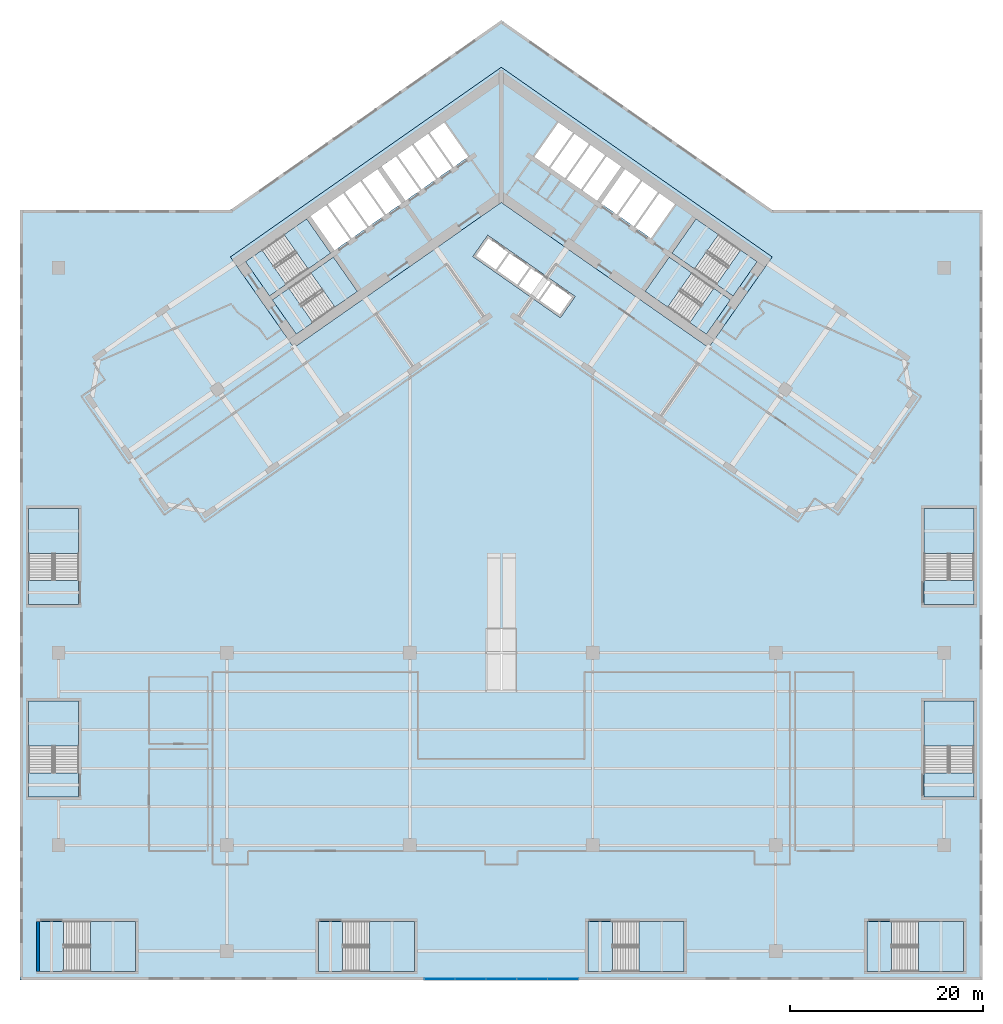
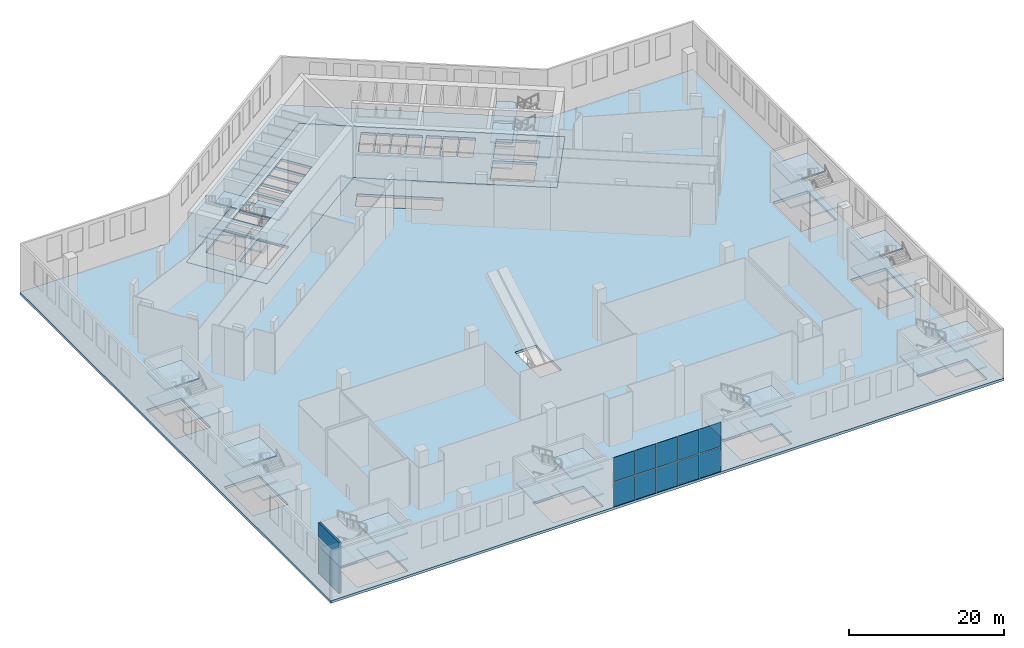
# One storey, part 4 of 27: 38 slabs, 10 plates, 1 wall, 13 elements without a shape of their own.
"""IFC4 building model written with IfcOpenShell, lengths in metres."""

import ifcopenshell
import ifcopenshell.guid

model = None  # the IFC model being written
_history = None  # IfcOwnerHistory: only IFC2X3 demands one
_inside = {}  # id of a spatial element -> (the spatial element, [elements in it])
_under = {}  # id of a project, library or spatial element -> (it, [spatial elements below it])
_declared = {}  # id of a project -> (the project, [libraries it declares])
_typed = {}  # id of a type object -> (the type object, [elements of that type])
_made_of = {}  # id of a material, layer set ... -> (it, [elements and type objects made of it])


def new_model(schema):
    """Start an empty IFC model of exactly this schema.

    Asked for "IFC4X3", IfcOpenShell would pick the latest addendum, in which some entities
    have other attributes; the version numbers below select the first issue.
    IFC2X3 requires an IfcOwnerHistory on every rooted entity: one is made here for all.
    """
    global model, _history
    if schema == "IFC4X3":
        model = ifcopenshell.file(schema_version=(4, 3, 0, 0))
    else:
        model = ifcopenshell.file(schema=schema)
    _inside.clear()
    _under.clear()
    _declared.clear()
    _typed.clear()
    _made_of.clear()
    _history = None
    if model.schema == "IFC2X3":
        org = make("IfcOrganization", Name="unknown")
        user = make(
            "IfcPersonAndOrganization",
            ThePerson=make("IfcPerson", FamilyName="unknown"),
            TheOrganization=org,
        )
        app = make(
            "IfcApplication",
            ApplicationDeveloper=org,
            Version="unknown",
            ApplicationFullName="unknown",
            ApplicationIdentifier="unknown",
        )
        _history = make(
            "IfcOwnerHistory",
            OwningUser=user,
            OwningApplication=app,
            ChangeAction="ADDED",
            CreationDate=0,
        )
    return model


def make(cls, **values):
    """One entity of the class cls with the attributes given. An attribute that is None is left unset."""
    return model.create_entity(
        cls, **{name: value for name, value in values.items() if value is not None}
    )


def rooted(cls, **values):
    """An entity with a GlobalId (a new one), such as an element, a storey or a relation."""
    return make(cls, GlobalId=ifcopenshell.guid.new(), OwnerHistory=_history, **values)


def si_unit(unit_type, name, prefix=None):
    """IfcSIUnit, for example si_unit("LENGTHUNIT", "METRE", prefix="MILLI")."""
    return make("IfcSIUnit", UnitType=unit_type, Prefix=prefix, Name=name)


def assignment(units):
    """IfcUnitAssignment: the units of a project."""
    return None if units is None else make("IfcUnitAssignment", Units=units)


def point(xyz):
    """IfcCartesianPoint."""
    return None if xyz is None else make("IfcCartesianPoint", Coordinates=xyz)


def direction(xyz):
    """IfcDirection."""
    return None if xyz is None else make("IfcDirection", DirectionRatios=xyz)


def frame(location, z_axis=None, x_axis=None):
    """IfcAxis2Placement3D, a coordinate frame: its origin and axes. An axis left out is left unset."""
    return make(
        "IfcAxis2Placement3D",
        Location=point(location),
        Axis=direction(z_axis),
        RefDirection=direction(x_axis),
    )


def frame_2d(location, x_axis=None):
    """IfcAxis2Placement2D, a coordinate frame in the plane: its origin and x axis."""
    return make(
        "IfcAxis2Placement2D", Location=point(location), RefDirection=direction(x_axis)
    )


def origin():
    """The frame at (0, 0, 0) with its axes left unset."""
    return frame((0.0, 0.0, 0.0))


def origin_2d():
    """The frame at (0, 0) in the plane with its x axis left unset."""
    return frame_2d((0.0, 0.0))


def place(relative_to, where):
    """IfcLocalPlacement: puts the frame where relative to a parent placement (None: the world)."""
    return make(
        "IfcLocalPlacement", PlacementRelTo=relative_to, RelativePlacement=where
    )


def context(
    kind, dimensions, precision=None, world=None, true_north=None, identifier=None
):
    """IfcGeometricRepresentationContext, for example the 3D "Model" context."""
    return make(
        "IfcGeometricRepresentationContext",
        ContextIdentifier=identifier,
        ContextType=kind,
        CoordinateSpaceDimension=dimensions,
        Precision=precision,
        WorldCoordinateSystem=world,
        TrueNorth=true_north,
    )


def subcontext(parent, identifier, kind, view, scale=None):
    """IfcGeometricRepresentationSubContext, for example "Body" below "Model"."""
    return make(
        "IfcGeometricRepresentationSubContext",
        ContextIdentifier=identifier,
        ContextType=kind,
        ParentContext=parent,
        TargetScale=scale,
        TargetView=view,
    )


def project(units=None, contexts=None):
    """IfcProject with its units and contexts."""
    return rooted(
        "IfcProject",
        Name="project",
        RepresentationContexts=contexts,
        UnitsInContext=assignment(units),
    )


def spatial(cls, under=None, at=None, **own):
    """A site, building, storey or space (cls), placed at a placement, below another one or the project."""
    s = rooted(cls, ObjectPlacement=at, **own)
    if under is not None:
        _under.setdefault(under.id(), (under, []))[1].append(s)
    return s


def polyline(points):
    """IfcPolyline through the points."""
    return make("IfcPolyline", Points=[point(p) for p in points])


def profile(cls, at=None, kind="AREA", **sizes):
    """A parametric profile (cls). Its sizes go by their IFC names, for example OverallWidth=200.0."""
    return make(cls, ProfileType=kind, Position=at, **sizes)


def rectangle(**sizes):
    """IfcRectangleProfileDef."""
    return profile("IfcRectangleProfileDef", **sizes)


def outline(outer, holes=None, kind="AREA"):
    """IfcArbitraryClosedProfileDef: a profile drawn as a closed curve; with holes, ...WithVoids."""
    if holes is None:
        return make("IfcArbitraryClosedProfileDef", ProfileType=kind, OuterCurve=outer)
    return make(
        "IfcArbitraryProfileDefWithVoids",
        ProfileType=kind,
        OuterCurve=outer,
        InnerCurves=holes,
    )


def extrude(swept, where, along, depth):
    """IfcExtrudedAreaSolid: the profile swept, set in the frame where, extruded along a direction by depth."""
    return make(
        "IfcExtrudedAreaSolid",
        SweptArea=swept,
        Position=where,
        ExtrudedDirection=direction(along),
        Depth=depth,
    )


def shape(context_of_items, identifier, shape_type, items):
    """IfcShapeRepresentation: the items that make up one representation, for example the "Body"."""
    return make(
        "IfcShapeRepresentation",
        ContextOfItems=context_of_items,
        RepresentationIdentifier=identifier,
        RepresentationType=shape_type,
        Items=items,
    )


def material(Name=None, Category=None):
    """IfcMaterial."""
    return make("IfcMaterial", Name=Name, Category=Category)


def layer(
    of_material, thickness, ventilated=None, Name=None, Category=None, Priority=None
):
    """IfcMaterialLayer: one layer of a wall or slab, of a material (None: an air gap)."""
    return make(
        "IfcMaterialLayer",
        Material=of_material,
        LayerThickness=thickness,
        IsVentilated=ventilated,
        Name=Name,
        Category=Category,
        Priority=Priority,
    )


def layer_set(layers, Name=None):
    """IfcMaterialLayerSet."""
    return make("IfcMaterialLayerSet", MaterialLayers=layers, LayerSetName=Name)


def made_of(thing, what):
    """Note that an element or type object is made of a material, layer set ...; save() writes the relation."""
    if what is not None:
        _made_of.setdefault(what.id(), (what, []))[1].append(thing)
    return thing


def type_object(cls, material=None, **own):
    """A type object (cls), such as IfcWallType, which elements share."""
    return made_of(rooted(cls, **own), material)


def element(
    cls,
    number,
    at=None,
    inside=None,
    cuts=None,
    type_object=None,
    material=None,
    context=None,
    identifier="Body",
    shape_type=None,
    held_by="IfcProductDefinitionShape",
    body=None,
    shapes=None,
    **own,
):
    """One element of the class cls, such as IfcWall. Its Tag is "e" and its number.

    at: its placement. inside: the storey or other place that contains it. cuts: it is an
    opening in that element (IfcRelVoidsElement). A single representation is given by context,
    identifier, shape_type and body (its items); several are given by shapes. held_by: the class
    of the entity that holds the representations. save() writes the other relations.
    """
    e = rooted(cls, Tag="e%d" % number, ObjectPlacement=at, **own)
    if body is not None:
        shapes = [shape(context, identifier, shape_type, body)]
    if shapes is not None:
        e.Representation = make(held_by, Representations=shapes)
    if inside is not None:
        _inside.setdefault(inside.id(), (inside, []))[1].append(e)
    if cuts is not None:
        rooted(
            "IfcRelVoidsElement", RelatingBuildingElement=cuts, RelatedOpeningElement=e
        )
    if type_object is not None:
        _typed.setdefault(type_object.id(), (type_object, []))[1].append(e)
    return made_of(e, material)


def aggregate(whole, parts):
    """IfcRelAggregates: a whole, such as a stair, and the parts it consists of."""
    return rooted("IfcRelAggregates", RelatingObject=whole, RelatedObjects=parts)


def save(model, path):
    """Write the relations noted so far, then the file.

    IfcRelAggregates (storeys below a building ...), IfcRelContainedInSpatialStructure (elements
    in a storey), IfcRelDefinesByType, IfcRelAssociatesMaterial and IfcRelDeclares: one each for
    every whole, place, type object, material and project.
    """
    for whole, parts in _under.values():
        aggregate(whole, parts)
    for where, things in _inside.values():
        rooted(
            "IfcRelContainedInSpatialStructure",
            RelatedElements=things,
            RelatingStructure=where,
        )
    for kind, things in _typed.values():
        rooted("IfcRelDefinesByType", RelatedObjects=things, RelatingType=kind)
    for what, things in _made_of.values():
        rooted("IfcRelAssociatesMaterial", RelatedObjects=things, RelatingMaterial=what)
    for by, libraries in _declared.values():
        rooted("IfcRelDeclares", RelatingContext=by, RelatedDefinitions=libraries)
    model.write(path)


model = new_model("IFC4")

# Units and contexts
model_context = context("Model", 3, precision=1e-05, world=origin(), true_north=direction((0.0, 1.0)))
body_context = subcontext(model_context, "Body", "Model", "MODEL_VIEW")
ifc_project = project(units=[si_unit("LENGTHUNIT", "METRE"), si_unit("AREAUNIT", "SQUARE_METRE"), si_unit("VOLUMEUNIT", "CUBIC_METRE"), si_unit("PLANEANGLEUNIT", "RADIAN"), si_unit("MASSUNIT", "GRAM", prefix="KILO")], contexts=[model_context])

# Site, building, storey
site_placement = place(None, origin())
site = spatial("IfcSite", under=ifc_project, at=site_placement, CompositionType="ELEMENT")
building_placement = place(site_placement, origin())
building = spatial("IfcBuilding", under=site, at=building_placement, Name="Tel Ilan Convention Tower", CompositionType="ELEMENT")
storey_placement = place(building_placement, frame((0.0, 0.0, 18.0)))
storey = spatial("IfcBuildingStorey", under=building, at=storey_placement, Name="L02", CompositionType="ELEMENT", Elevation=18.0)

# Curtain wall, plates
ifc_material_1 = material(Name="Aluminium, bronze anodised", Category="aluminium")
curtain_wall_type = type_object("IfcCurtainWallType", Name="CW3 FOYER CURTAIN WALL, CLEAR GLASS", PredefinedType="NOTDEFINED", material=ifc_material_1)
curtain_wall_placement = place(storey_placement, origin())
curtain_wall = element("IfcCurtainWall", 1, at=curtain_wall_placement, inside=storey, type_object=curtain_wall_type, Name="Curtain wall CW3-05.F01", PredefinedType="NOTDEFINED")
ifc_material_2 = material(Name="Glass, clear, two-ply", Category="glass")
ifc_layer_1 = layer(ifc_material_2, 0.028076171875)
ifc_layer_set_1 = layer_set([ifc_layer_1], Name="CW FOYER GLASS PANEL 28")
plate_type = type_object("IfcPlateType", Name="CW FOYER GLASS PANEL 28", PredefinedType="CURTAIN_PANEL", material=ifc_layer_set_1)
plate_1_placement = place(storey_placement, frame((-6.39990234375, -81.89990234375, 0.0), z_axis=(0.0, 0.0, 1.0), x_axis=(1.0, 0.0, 0.0)))
plate_1 = element("IfcPlate", 2, at=plate_1_placement, type_object=plate_type, Name="Glass panel", PredefinedType="CURTAIN_PANEL", context=body_context, shape_type="SweptSolid", body=[
    extrude(rectangle(XDim=3.139892578125, YDim=0.028076171875, at=origin_2d()), origin(), (0.0, 0.0, 1.0), 3.800048828125),
])
plate_2_placement = place(storey_placement, frame((-6.39990234375, -81.89990234375, 3.919921875), z_axis=(0.0, 0.0, 1.0), x_axis=(1.0, 0.0, 0.0)))
plate_2 = element("IfcPlate", 3, at=plate_2_placement, type_object=plate_type, Name="Glass panel", PredefinedType="CURTAIN_PANEL", context=body_context, shape_type="SweptSolid", body=[
    extrude(rectangle(XDim=3.139892578125, YDim=0.028076171875, at=origin_2d()), origin(), (0.0, 0.0, 1.0), 3.800048828125),
])
plate_3_placement = place(storey_placement, frame((-3.199951171875, -81.89990234375, 0.0), z_axis=(0.0, 0.0, 1.0), x_axis=(1.0, 0.0, 0.0)))
plate_3 = element("IfcPlate", 4, at=plate_3_placement, type_object=plate_type, Name="Glass panel", PredefinedType="CURTAIN_PANEL", context=body_context, shape_type="SweptSolid", body=[
    extrude(rectangle(XDim=3.139892578125, YDim=0.028076171875, at=origin_2d()), origin(), (0.0, 0.0, 1.0), 3.800048828125),
])
plate_4_placement = place(storey_placement, frame((-3.199951171875, -81.89990234375, 3.919921875), z_axis=(0.0, 0.0, 1.0), x_axis=(1.0, 0.0, 0.0)))
plate_4 = element("IfcPlate", 5, at=plate_4_placement, type_object=plate_type, Name="Glass panel", PredefinedType="CURTAIN_PANEL", context=body_context, shape_type="SweptSolid", body=[
    extrude(rectangle(XDim=3.139892578125, YDim=0.028076171875, at=origin_2d()), origin(), (0.0, 0.0, 1.0), 3.800048828125),
])
plate_5_placement = place(storey_placement, frame((0.0, -81.89990234375, 0.0), z_axis=(0.0, 0.0, 1.0), x_axis=(1.0, 0.0, 0.0)))
plate_5 = element("IfcPlate", 6, at=plate_5_placement, type_object=plate_type, Name="Glass panel", PredefinedType="CURTAIN_PANEL", context=body_context, shape_type="SweptSolid", body=[
    extrude(rectangle(XDim=3.139892578125, YDim=0.028076171875, at=origin_2d()), origin(), (0.0, 0.0, 1.0), 3.800048828125),
])
plate_6_placement = place(storey_placement, frame((0.0, -81.89990234375, 3.919921875), z_axis=(0.0, 0.0, 1.0), x_axis=(1.0, 0.0, 0.0)))
plate_6 = element("IfcPlate", 7, at=plate_6_placement, type_object=plate_type, Name="Glass panel", PredefinedType="CURTAIN_PANEL", context=body_context, shape_type="SweptSolid", body=[
    extrude(rectangle(XDim=3.139892578125, YDim=0.028076171875, at=origin_2d()), origin(), (0.0, 0.0, 1.0), 3.800048828125),
])
plate_7_placement = place(storey_placement, frame((3.199951171875, -81.89990234375, 0.0), z_axis=(0.0, 0.0, 1.0), x_axis=(1.0, 0.0, 0.0)))
plate_7 = element("IfcPlate", 8, at=plate_7_placement, type_object=plate_type, Name="Glass panel", PredefinedType="CURTAIN_PANEL", context=body_context, shape_type="SweptSolid", body=[
    extrude(rectangle(XDim=3.139892578125, YDim=0.028076171875, at=origin_2d()), origin(), (0.0, 0.0, 1.0), 3.800048828125),
])
plate_8_placement = place(storey_placement, frame((3.199951171875, -81.89990234375, 3.919921875), z_axis=(0.0, 0.0, 1.0), x_axis=(1.0, 0.0, 0.0)))
plate_8 = element("IfcPlate", 9, at=plate_8_placement, type_object=plate_type, Name="Glass panel", PredefinedType="CURTAIN_PANEL", context=body_context, shape_type="SweptSolid", body=[
    extrude(rectangle(XDim=3.139892578125, YDim=0.028076171875, at=origin_2d()), origin(), (0.0, 0.0, 1.0), 3.800048828125),
])
plate_9_placement = place(storey_placement, frame((6.39990234375, -81.89990234375, 0.0), z_axis=(0.0, 0.0, 1.0), x_axis=(1.0, 0.0, 0.0)))
plate_9 = element("IfcPlate", 10, at=plate_9_placement, type_object=plate_type, Name="Glass panel", PredefinedType="CURTAIN_PANEL", context=body_context, shape_type="SweptSolid", body=[
    extrude(rectangle(XDim=3.139892578125, YDim=0.028076171875, at=origin_2d()), origin(), (0.0, 0.0, 1.0), 3.800048828125),
])
plate_10_placement = place(storey_placement, frame((6.39990234375, -81.89990234375, 3.919921875), z_axis=(0.0, 0.0, 1.0), x_axis=(1.0, 0.0, 0.0)))
plate_10 = element("IfcPlate", 11, at=plate_10_placement, type_object=plate_type, Name="Glass panel", PredefinedType="CURTAIN_PANEL", context=body_context, shape_type="SweptSolid", body=[
    extrude(rectangle(XDim=3.139892578125, YDim=0.028076171875, at=origin_2d()), origin(), (0.0, 0.0, 1.0), 3.800048828125),
])
aggregate(curtain_wall, [plate_1, plate_2, plate_3, plate_4, plate_5, plate_6, plate_7, plate_8, plate_9, plate_10])

# Stair, slabs
ifc_material_3 = material(Name="Concrete C40/50", Category="concrete")
stair_type = type_object("IfcStairType", Name="Pressurised Exit Stair 44 risers 182 mm", PredefinedType="HALF_TURN_STAIR", material=ifc_material_3)
stair_1_placement = place(storey_placement, origin())
stair_1 = element("IfcStair", 12, at=stair_1_placement, inside=storey, type_object=stair_type, Name="L02 Pressurised Stair S1", PredefinedType="HALF_TURN_STAIR")
ifc_material_4 = material(Name="Concrete C40/50", Category="concrete")
ifc_layer_2 = layer(ifc_material_4, 0.199951171875)
ifc_layer_set_2 = layer_set([ifc_layer_2], Name="Concrete Stair Landing 200 mm C40/50")
slab_type_1 = type_object("IfcSlabType", Name="Concrete Stair Landing 200 mm", PredefinedType="LANDING", material=ifc_layer_set_2)
slab_1_placement = place(storey_placement, frame((0.0, 0.0, 1.800048828125)))
slab_1 = element("IfcSlab", 13, at=slab_1_placement, type_object=slab_type_1, Name="S1 landing 1", PredefinedType="LANDING", context=body_context, shape_type="SweptSolid", body=[
    extrude(outline(polyline([(-20.066650390625, -8.130126953125), (-17.7314453125, -6.494873046875), (-20.226318359375, -2.931640625), (-22.561767578125, -4.566650390625), (-20.066650390625, -8.130126953125)])), origin(), (0.0, 0.0, 1.0), 0.199951171875),
])
slab_2_placement = place(storey_placement, frame((0.0, 0.0, 3.800048828125)))
slab_2 = element("IfcSlab", 14, at=slab_2_placement, type_object=slab_type_1, Name="S1 landing 2", PredefinedType="LANDING", context=body_context, shape_type="SweptSolid", body=[
    extrude(outline(polyline([(-24.079833984375, -10.940185546875), (-22.35888671875, -9.735107421875), (-24.85400390625, -6.171875), (-26.574951171875, -7.376708984375), (-24.079833984375, -10.940185546875)])), origin(), (0.0, 0.0, 1.0), 0.199951171875),
])
slab_3_placement = place(storey_placement, frame((0.0, 0.0, 5.800048828125)))
slab_3 = element("IfcSlab", 15, at=slab_3_placement, type_object=slab_type_1, Name="S1 landing 3", PredefinedType="LANDING", context=body_context, shape_type="SweptSolid", body=[
    extrude(outline(polyline([(-20.066650390625, -8.130126953125), (-17.7314453125, -6.494873046875), (-20.226318359375, -2.931640625), (-22.561767578125, -4.566650390625), (-20.066650390625, -8.130126953125)])), origin(), (0.0, 0.0, 1.0), 0.199951171875),
])
aggregate(stair_1, [slab_1, slab_2, slab_3])

stair_2_placement = place(storey_placement, origin())
stair_2 = element("IfcStair", 16, at=stair_2_placement, inside=storey, type_object=stair_type, Name="L02 Pressurised Stair S2", PredefinedType="HALF_TURN_STAIR")
slab_4_placement = place(storey_placement, frame((0.0, 0.0, 1.800048828125)))
slab_4 = element("IfcSlab", 17, at=slab_4_placement, type_object=slab_type_1, Name="S2 landing 1", PredefinedType="LANDING", context=body_context, shape_type="SweptSolid", body=[
    extrude(outline(polyline([(-17.28466796875, -12.10302734375), (-14.949462890625, -10.4677734375), (-17.444580078125, -6.904541015625), (-19.77978515625, -8.53955078125), (-17.28466796875, -12.10302734375)])), origin(), (0.0, 0.0, 1.0), 0.199951171875),
])
slab_5_placement = place(storey_placement, frame((0.0, 0.0, 3.800048828125)))
slab_5 = element("IfcSlab", 18, at=slab_5_placement, type_object=slab_type_1, Name="S2 landing 2", PredefinedType="LANDING", context=body_context, shape_type="SweptSolid", body=[
    extrude(outline(polyline([(-21.2978515625, -14.9130859375), (-19.5771484375, -13.7080078125), (-22.072021484375, -10.144775390625), (-23.79296875, -11.349609375), (-21.2978515625, -14.9130859375)])), origin(), (0.0, 0.0, 1.0), 0.199951171875),
])
slab_6_placement = place(storey_placement, frame((0.0, 0.0, 5.800048828125)))
slab_6 = element("IfcSlab", 19, at=slab_6_placement, type_object=slab_type_1, Name="S2 landing 3", PredefinedType="LANDING", context=body_context, shape_type="SweptSolid", body=[
    extrude(outline(polyline([(-17.28466796875, -12.10302734375), (-14.949462890625, -10.4677734375), (-17.444580078125, -6.904541015625), (-19.77978515625, -8.53955078125), (-17.28466796875, -12.10302734375)])), origin(), (0.0, 0.0, 1.0), 0.199951171875),
])
aggregate(stair_2, [slab_4, slab_5, slab_6])

stair_3_placement = place(storey_placement, origin())
stair_3 = element("IfcStair", 20, at=stair_3_placement, inside=storey, type_object=stair_type, Name="L02 Pressurised Stair S3", PredefinedType="HALF_TURN_STAIR")
slab_7_placement = place(storey_placement, frame((0.0, 0.0, 1.800048828125)))
slab_7 = element("IfcSlab", 21, at=slab_7_placement, type_object=slab_type_1, Name="S3 landing 1", PredefinedType="LANDING", context=body_context, shape_type="SweptSolid", body=[
    extrude(outline(polyline([(22.561767578125, -4.566650390625), (20.226318359375, -2.931640625), (17.7314453125, -6.494873046875), (20.066650390625, -8.130126953125), (22.561767578125, -4.566650390625)])), origin(), (0.0, 0.0, 1.0), 0.199951171875),
])
slab_8_placement = place(storey_placement, frame((0.0, 0.0, 3.800048828125)))
slab_8 = element("IfcSlab", 22, at=slab_8_placement, type_object=slab_type_1, Name="S3 landing 2", PredefinedType="LANDING", context=body_context, shape_type="SweptSolid", body=[
    extrude(outline(polyline([(26.574951171875, -7.376708984375), (24.85400390625, -6.171875), (22.35888671875, -9.735107421875), (24.079833984375, -10.940185546875), (26.574951171875, -7.376708984375)])), origin(), (0.0, 0.0, 1.0), 0.199951171875),
])
slab_9_placement = place(storey_placement, frame((0.0, 0.0, 5.800048828125)))
slab_9 = element("IfcSlab", 23, at=slab_9_placement, type_object=slab_type_1, Name="S3 landing 3", PredefinedType="LANDING", context=body_context, shape_type="SweptSolid", body=[
    extrude(outline(polyline([(22.561767578125, -4.566650390625), (20.226318359375, -2.931640625), (17.7314453125, -6.494873046875), (20.066650390625, -8.130126953125), (22.561767578125, -4.566650390625)])), origin(), (0.0, 0.0, 1.0), 0.199951171875),
])
aggregate(stair_3, [slab_7, slab_8, slab_9])

stair_4_placement = place(storey_placement, origin())
stair_4 = element("IfcStair", 24, at=stair_4_placement, inside=storey, type_object=stair_type, Name="L02 Pressurised Stair S4", PredefinedType="HALF_TURN_STAIR")
slab_10_placement = place(storey_placement, frame((0.0, 0.0, 1.800048828125)))
slab_10 = element("IfcSlab", 25, at=slab_10_placement, type_object=slab_type_1, Name="S4 landing 1", PredefinedType="LANDING", context=body_context, shape_type="SweptSolid", body=[
    extrude(outline(polyline([(19.77978515625, -8.53955078125), (17.444580078125, -6.904541015625), (14.949462890625, -10.4677734375), (17.28466796875, -12.10302734375), (19.77978515625, -8.53955078125)])), origin(), (0.0, 0.0, 1.0), 0.199951171875),
])
slab_11_placement = place(storey_placement, frame((0.0, 0.0, 3.800048828125)))
slab_11 = element("IfcSlab", 26, at=slab_11_placement, type_object=slab_type_1, Name="S4 landing 2", PredefinedType="LANDING", context=body_context, shape_type="SweptSolid", body=[
    extrude(outline(polyline([(23.79296875, -11.349609375), (22.072021484375, -10.144775390625), (19.5771484375, -13.7080078125), (21.2978515625, -14.9130859375), (23.79296875, -11.349609375)])), origin(), (0.0, 0.0, 1.0), 0.199951171875),
])
slab_12_placement = place(storey_placement, frame((0.0, 0.0, 5.800048828125)))
slab_12 = element("IfcSlab", 27, at=slab_12_placement, type_object=slab_type_1, Name="S4 landing 3", PredefinedType="LANDING", context=body_context, shape_type="SweptSolid", body=[
    extrude(outline(polyline([(19.77978515625, -8.53955078125), (17.444580078125, -6.904541015625), (14.949462890625, -10.4677734375), (17.28466796875, -12.10302734375), (19.77978515625, -8.53955078125)])), origin(), (0.0, 0.0, 1.0), 0.199951171875),
])
aggregate(stair_4, [slab_10, slab_11, slab_12])

stair_5_placement = place(storey_placement, origin())
stair_5 = element("IfcStair", 28, at=stair_5_placement, inside=storey, type_object=stair_type, Name="L02 Podium Exit Stair P1", PredefinedType="HALF_TURN_STAIR")
slab_13_placement = place(storey_placement, frame((0.0, 0.0, 1.800048828125)))
slab_13 = element("IfcSlab", 29, at=slab_13_placement, type_object=slab_type_1, Name="P1 landing 1", PredefinedType="LANDING", context=body_context, shape_type="SweptSolid", body=[
    extrude(outline(polyline([(-42.67578125, -81.10009765625), (-38.0, -81.10009765625), (-38.0, -75.89990234375), (-42.67578125, -75.89990234375), (-42.67578125, -81.10009765625)])), origin(), (0.0, 0.0, 1.0), 0.199951171875),
])
slab_14_placement = place(storey_placement, frame((0.0, 0.0, 3.800048828125)))
slab_14 = element("IfcSlab", 30, at=slab_14_placement, type_object=slab_type_1, Name="P1 landing 2", PredefinedType="LANDING", context=body_context, shape_type="SweptSolid", body=[
    extrude(outline(polyline([(-48.0, -81.10009765625), (-45.47412109375, -81.10009765625), (-45.47412109375, -75.89990234375), (-48.0, -75.89990234375), (-48.0, -81.10009765625)])), origin(), (0.0, 0.0, 1.0), 0.199951171875),
])
slab_15_placement = place(storey_placement, frame((0.0, 0.0, 5.800048828125)))
slab_15 = element("IfcSlab", 31, at=slab_15_placement, type_object=slab_type_1, Name="P1 landing 3", PredefinedType="LANDING", context=body_context, shape_type="SweptSolid", body=[
    extrude(outline(polyline([(-42.67578125, -81.10009765625), (-38.0, -81.10009765625), (-38.0, -75.89990234375), (-42.67578125, -75.89990234375), (-42.67578125, -81.10009765625)])), origin(), (0.0, 0.0, 1.0), 0.199951171875),
])
aggregate(stair_5, [slab_13, slab_14, slab_15])

stair_6_placement = place(storey_placement, origin())
stair_6 = element("IfcStair", 32, at=stair_6_placement, inside=storey, type_object=stair_type, Name="L02 Podium Exit Stair P2", PredefinedType="HALF_TURN_STAIR")
slab_16_placement = place(storey_placement, frame((0.0, 0.0, 1.800048828125)))
slab_16 = element("IfcSlab", 33, at=slab_16_placement, type_object=slab_type_1, Name="P2 landing 1", PredefinedType="LANDING", context=body_context, shape_type="SweptSolid", body=[
    extrude(outline(polyline([(-13.67578125, -81.10009765625), (-9.0, -81.10009765625), (-9.0, -75.89990234375), (-13.67578125, -75.89990234375), (-13.67578125, -81.10009765625)])), origin(), (0.0, 0.0, 1.0), 0.199951171875),
])
slab_17_placement = place(storey_placement, frame((0.0, 0.0, 3.800048828125)))
slab_17 = element("IfcSlab", 34, at=slab_17_placement, type_object=slab_type_1, Name="P2 landing 2", PredefinedType="LANDING", context=body_context, shape_type="SweptSolid", body=[
    extrude(outline(polyline([(-19.0, -81.10009765625), (-16.47412109375, -81.10009765625), (-16.47412109375, -75.89990234375), (-19.0, -75.89990234375), (-19.0, -81.10009765625)])), origin(), (0.0, 0.0, 1.0), 0.199951171875),
])
slab_18_placement = place(storey_placement, frame((0.0, 0.0, 5.800048828125)))
slab_18 = element("IfcSlab", 35, at=slab_18_placement, type_object=slab_type_1, Name="P2 landing 3", PredefinedType="LANDING", context=body_context, shape_type="SweptSolid", body=[
    extrude(outline(polyline([(-13.67578125, -81.10009765625), (-9.0, -81.10009765625), (-9.0, -75.89990234375), (-13.67578125, -75.89990234375), (-13.67578125, -81.10009765625)])), origin(), (0.0, 0.0, 1.0), 0.199951171875),
])
aggregate(stair_6, [slab_16, slab_17, slab_18])

stair_7_placement = place(storey_placement, origin())
stair_7 = element("IfcStair", 36, at=stair_7_placement, inside=storey, type_object=stair_type, Name="L02 Podium Exit Stair P3", PredefinedType="HALF_TURN_STAIR")
slab_19_placement = place(storey_placement, frame((0.0, 0.0, 1.800048828125)))
slab_19 = element("IfcSlab", 37, at=slab_19_placement, type_object=slab_type_1, Name="P3 landing 1", PredefinedType="LANDING", context=body_context, shape_type="SweptSolid", body=[
    extrude(outline(polyline([(14.32421875, -81.10009765625), (19.0, -81.10009765625), (19.0, -75.89990234375), (14.32421875, -75.89990234375), (14.32421875, -81.10009765625)])), origin(), (0.0, 0.0, 1.0), 0.199951171875),
])
slab_20_placement = place(storey_placement, frame((0.0, 0.0, 3.800048828125)))
slab_20 = element("IfcSlab", 38, at=slab_20_placement, type_object=slab_type_1, Name="P3 landing 2", PredefinedType="LANDING", context=body_context, shape_type="SweptSolid", body=[
    extrude(outline(polyline([(9.0, -81.10009765625), (11.52587890625, -81.10009765625), (11.52587890625, -75.89990234375), (9.0, -75.89990234375), (9.0, -81.10009765625)])), origin(), (0.0, 0.0, 1.0), 0.199951171875),
])
slab_21_placement = place(storey_placement, frame((0.0, 0.0, 5.800048828125)))
slab_21 = element("IfcSlab", 39, at=slab_21_placement, type_object=slab_type_1, Name="P3 landing 3", PredefinedType="LANDING", context=body_context, shape_type="SweptSolid", body=[
    extrude(outline(polyline([(14.32421875, -81.10009765625), (19.0, -81.10009765625), (19.0, -75.89990234375), (14.32421875, -75.89990234375), (14.32421875, -81.10009765625)])), origin(), (0.0, 0.0, 1.0), 0.199951171875),
])
aggregate(stair_7, [slab_19, slab_20, slab_21])

stair_8_placement = place(storey_placement, origin())
stair_8 = element("IfcStair", 40, at=stair_8_placement, inside=storey, type_object=stair_type, Name="L02 Podium Exit Stair P4", PredefinedType="HALF_TURN_STAIR")
slab_22_placement = place(storey_placement, frame((0.0, 0.0, 1.800048828125)))
slab_22 = element("IfcSlab", 41, at=slab_22_placement, type_object=slab_type_1, Name="P4 landing 1", PredefinedType="LANDING", context=body_context, shape_type="SweptSolid", body=[
    extrude(outline(polyline([(43.32421875, -81.10009765625), (48.0, -81.10009765625), (48.0, -75.89990234375), (43.32421875, -75.89990234375), (43.32421875, -81.10009765625)])), origin(), (0.0, 0.0, 1.0), 0.199951171875),
])
slab_23_placement = place(storey_placement, frame((0.0, 0.0, 3.800048828125)))
slab_23 = element("IfcSlab", 42, at=slab_23_placement, type_object=slab_type_1, Name="P4 landing 2", PredefinedType="LANDING", context=body_context, shape_type="SweptSolid", body=[
    extrude(outline(polyline([(38.0, -81.10009765625), (40.52587890625, -81.10009765625), (40.52587890625, -75.89990234375), (38.0, -75.89990234375), (38.0, -81.10009765625)])), origin(), (0.0, 0.0, 1.0), 0.199951171875),
])
slab_24_placement = place(storey_placement, frame((0.0, 0.0, 5.800048828125)))
slab_24 = element("IfcSlab", 43, at=slab_24_placement, type_object=slab_type_1, Name="P4 landing 3", PredefinedType="LANDING", context=body_context, shape_type="SweptSolid", body=[
    extrude(outline(polyline([(43.32421875, -81.10009765625), (48.0, -81.10009765625), (48.0, -75.89990234375), (43.32421875, -75.89990234375), (43.32421875, -81.10009765625)])), origin(), (0.0, 0.0, 1.0), 0.199951171875),
])
aggregate(stair_8, [slab_22, slab_23, slab_24])

stair_9_placement = place(storey_placement, origin())
stair_9 = element("IfcStair", 44, at=stair_9_placement, inside=storey, type_object=stair_type, Name="L02 Podium Exit Stair P5", PredefinedType="HALF_TURN_STAIR")
slab_25_placement = place(storey_placement, frame((0.0, 0.0, 1.800048828125)))
slab_25 = element("IfcSlab", 45, at=slab_25_placement, type_object=slab_type_1, Name="P5 landing 1", PredefinedType="LANDING", context=body_context, shape_type="SweptSolid", body=[
    extrude(outline(polyline([(-43.89990234375, -57.67578125), (-43.89990234375, -53.0), (-49.10009765625, -53.0), (-49.10009765625, -57.67578125), (-43.89990234375, -57.67578125)])), origin(), (0.0, 0.0, 1.0), 0.199951171875),
])
slab_26_placement = place(storey_placement, frame((0.0, 0.0, 3.800048828125)))
slab_26 = element("IfcSlab", 46, at=slab_26_placement, type_object=slab_type_1, Name="P5 landing 2", PredefinedType="LANDING", context=body_context, shape_type="SweptSolid", body=[
    extrude(outline(polyline([(-43.89990234375, -63.0), (-43.89990234375, -60.47412109375), (-49.10009765625, -60.47412109375), (-49.10009765625, -63.0), (-43.89990234375, -63.0)])), origin(), (0.0, 0.0, 1.0), 0.199951171875),
])
slab_27_placement = place(storey_placement, frame((0.0, 0.0, 5.800048828125)))
slab_27 = element("IfcSlab", 47, at=slab_27_placement, type_object=slab_type_1, Name="P5 landing 3", PredefinedType="LANDING", context=body_context, shape_type="SweptSolid", body=[
    extrude(outline(polyline([(-43.89990234375, -57.67578125), (-43.89990234375, -53.0), (-49.10009765625, -53.0), (-49.10009765625, -57.67578125), (-43.89990234375, -57.67578125)])), origin(), (0.0, 0.0, 1.0), 0.199951171875),
])
aggregate(stair_9, [slab_25, slab_26, slab_27])

stair_10_placement = place(storey_placement, origin())
stair_10 = element("IfcStair", 48, at=stair_10_placement, inside=storey, type_object=stair_type, Name="L02 Podium Exit Stair P6", PredefinedType="HALF_TURN_STAIR")
slab_28_placement = place(storey_placement, frame((0.0, 0.0, 1.800048828125)))
slab_28 = element("IfcSlab", 49, at=slab_28_placement, type_object=slab_type_1, Name="P6 landing 1", PredefinedType="LANDING", context=body_context, shape_type="SweptSolid", body=[
    extrude(outline(polyline([(49.10009765625, -57.67578125), (49.10009765625, -53.0), (43.89990234375, -53.0), (43.89990234375, -57.67578125), (49.10009765625, -57.67578125)])), origin(), (0.0, 0.0, 1.0), 0.199951171875),
])
slab_29_placement = place(storey_placement, frame((0.0, 0.0, 3.800048828125)))
slab_29 = element("IfcSlab", 50, at=slab_29_placement, type_object=slab_type_1, Name="P6 landing 2", PredefinedType="LANDING", context=body_context, shape_type="SweptSolid", body=[
    extrude(outline(polyline([(49.10009765625, -63.0), (49.10009765625, -60.47412109375), (43.89990234375, -60.47412109375), (43.89990234375, -63.0), (49.10009765625, -63.0)])), origin(), (0.0, 0.0, 1.0), 0.199951171875),
])
slab_30_placement = place(storey_placement, frame((0.0, 0.0, 5.800048828125)))
slab_30 = element("IfcSlab", 51, at=slab_30_placement, type_object=slab_type_1, Name="P6 landing 3", PredefinedType="LANDING", context=body_context, shape_type="SweptSolid", body=[
    extrude(outline(polyline([(49.10009765625, -57.67578125), (49.10009765625, -53.0), (43.89990234375, -53.0), (43.89990234375, -57.67578125), (49.10009765625, -57.67578125)])), origin(), (0.0, 0.0, 1.0), 0.199951171875),
])
aggregate(stair_10, [slab_28, slab_29, slab_30])

stair_11_placement = place(storey_placement, origin())
stair_11 = element("IfcStair", 52, at=stair_11_placement, inside=storey, type_object=stair_type, Name="L02 Podium Exit Stair P7", PredefinedType="HALF_TURN_STAIR")
slab_31_placement = place(storey_placement, frame((0.0, 0.0, 1.800048828125)))
slab_31 = element("IfcSlab", 53, at=slab_31_placement, type_object=slab_type_1, Name="P7 landing 1", PredefinedType="LANDING", context=body_context, shape_type="SweptSolid", body=[
    extrude(outline(polyline([(-43.89990234375, -37.67578125), (-43.89990234375, -33.0), (-49.10009765625, -33.0), (-49.10009765625, -37.67578125), (-43.89990234375, -37.67578125)])), origin(), (0.0, 0.0, 1.0), 0.199951171875),
])
slab_32_placement = place(storey_placement, frame((0.0, 0.0, 3.800048828125)))
slab_32 = element("IfcSlab", 54, at=slab_32_placement, type_object=slab_type_1, Name="P7 landing 2", PredefinedType="LANDING", context=body_context, shape_type="SweptSolid", body=[
    extrude(outline(polyline([(-43.89990234375, -43.0), (-43.89990234375, -40.47412109375), (-49.10009765625, -40.47412109375), (-49.10009765625, -43.0), (-43.89990234375, -43.0)])), origin(), (0.0, 0.0, 1.0), 0.199951171875),
])
slab_33_placement = place(storey_placement, frame((0.0, 0.0, 5.800048828125)))
slab_33 = element("IfcSlab", 55, at=slab_33_placement, type_object=slab_type_1, Name="P7 landing 3", PredefinedType="LANDING", context=body_context, shape_type="SweptSolid", body=[
    extrude(outline(polyline([(-43.89990234375, -37.67578125), (-43.89990234375, -33.0), (-49.10009765625, -33.0), (-49.10009765625, -37.67578125), (-43.89990234375, -37.67578125)])), origin(), (0.0, 0.0, 1.0), 0.199951171875),
])
aggregate(stair_11, [slab_31, slab_32, slab_33])

stair_12_placement = place(storey_placement, origin())
stair_12 = element("IfcStair", 56, at=stair_12_placement, inside=storey, type_object=stair_type, Name="L02 Podium Exit Stair P8", PredefinedType="HALF_TURN_STAIR")
slab_34_placement = place(storey_placement, frame((0.0, 0.0, 1.800048828125)))
slab_34 = element("IfcSlab", 57, at=slab_34_placement, type_object=slab_type_1, Name="P8 landing 1", PredefinedType="LANDING", context=body_context, shape_type="SweptSolid", body=[
    extrude(outline(polyline([(49.10009765625, -37.67578125), (49.10009765625, -33.0), (43.89990234375, -33.0), (43.89990234375, -37.67578125), (49.10009765625, -37.67578125)])), origin(), (0.0, 0.0, 1.0), 0.199951171875),
])
slab_35_placement = place(storey_placement, frame((0.0, 0.0, 3.800048828125)))
slab_35 = element("IfcSlab", 58, at=slab_35_placement, type_object=slab_type_1, Name="P8 landing 2", PredefinedType="LANDING", context=body_context, shape_type="SweptSolid", body=[
    extrude(outline(polyline([(49.10009765625, -43.0), (49.10009765625, -40.47412109375), (43.89990234375, -40.47412109375), (43.89990234375, -43.0), (49.10009765625, -43.0)])), origin(), (0.0, 0.0, 1.0), 0.199951171875),
])
slab_36_placement = place(storey_placement, frame((0.0, 0.0, 5.800048828125)))
slab_36 = element("IfcSlab", 59, at=slab_36_placement, type_object=slab_type_1, Name="P8 landing 3", PredefinedType="LANDING", context=body_context, shape_type="SweptSolid", body=[
    extrude(outline(polyline([(49.10009765625, -37.67578125), (49.10009765625, -33.0), (43.89990234375, -33.0), (43.89990234375, -37.67578125), (49.10009765625, -37.67578125)])), origin(), (0.0, 0.0, 1.0), 0.199951171875),
])
aggregate(stair_12, [slab_34, slab_35, slab_36])

# Slabs
ifc_material_5 = material(Name="Concrete C40/50", Category="concrete")
ifc_layer_3 = layer(ifc_material_5, 0.39990234375)
ifc_layer_set_3 = layer_set([ifc_layer_3], Name="Core Floor Slab 400 mm C40/50")
slab_type_2 = type_object("IfcSlabType", Name="Core Floor Slab 400 mm C40/50", PredefinedType="FLOOR", material=ifc_layer_set_3)
slab_37_placement = place(storey_placement, frame((0.0, 0.0, -0.39990234375)))
element("IfcSlab", 60, at=slab_37_placement, inside=storey, type_object=slab_type_2, Name="L02 core floor 1", PredefinedType="FLOOR", context=body_context, shape_type="SweptSolid", body=[
    extrude(outline(polyline([(-28.1396484375, -6.885498046875), (0.0, 12.818115234375), (28.1396484375, -6.885498046875), (21.54345703125, -16.3056640625), (0.0, -1.220703125), (-21.54345703125, -16.3056640625), (-28.1396484375, -6.885498046875)]), holes=[polyline([(-19.5771484375, -13.7080078125), (-14.949462890625, -10.4677734375), (-17.444580078125, -6.904541015625), (-22.072021484375, -10.144775390625), (-19.5771484375, -13.7080078125)]), polyline([(-22.35888671875, -9.735107421875), (-17.7314453125, -6.494873046875), (-20.226318359375, -2.931640625), (-24.85400390625, -6.171875), (-22.35888671875, -9.735107421875)]), polyline([(-15.7041015625, -5.0751953125), (-18.198974609375, -1.511962890625), (-19.81689453125, -2.644775390625), (-17.32177734375, -6.2080078125), (-15.7041015625, -5.0751953125)]), polyline([(-13.92236328125, -3.827880859375), (-16.41748046875, -0.264404296875), (-18.03515625, -1.397216796875), (-15.5400390625, -4.960693359375), (-13.92236328125, -3.827880859375)]), polyline([(-12.140625, -2.580078125), (-14.6357421875, 0.983154296875), (-16.25341796875, -0.149658203125), (-13.758544921875, -3.712890625), (-12.140625, -2.580078125)]), polyline([(-10.35888671875, -1.332763671875), (-12.85400390625, 2.230712890625), (-14.471923828125, 1.097900390625), (-11.976806640625, -2.465576171875), (-10.35888671875, -1.332763671875)]), polyline([(-8.444091796875, 0.008056640625), (-10.939208984375, 3.5712890625), (-12.444580078125, 2.517333984375), (-9.949462890625, -1.0458984375), (-8.444091796875, 0.008056640625)]), polyline([(-6.775146484375, 1.1767578125), (-9.270263671875, 4.739990234375), (-10.775390625, 3.68603515625), (-8.280517578125, 0.122802734375), (-6.775146484375, 1.1767578125)]), polyline([(-5.106201171875, 2.345458984375), (-7.601318359375, 5.90869140625), (-9.1064453125, 4.854736328125), (-6.611328125, 1.29150390625), (-5.106201171875, 2.345458984375)]), polyline([(-3.437255859375, 3.513916015625), (-5.93212890625, 7.077392578125), (-7.4375, 6.0234375), (-4.9423828125, 2.460205078125), (-3.437255859375, 3.513916015625)]), polyline([(22.072021484375, -10.144775390625), (17.444580078125, -6.904541015625), (14.949462890625, -10.4677734375), (19.5771484375, -13.7080078125), (22.072021484375, -10.144775390625)]), polyline([(24.85400390625, -6.171875), (20.226318359375, -2.931640625), (17.7314453125, -6.494873046875), (22.35888671875, -9.735107421875), (24.85400390625, -6.171875)]), polyline([(13.92236328125, -3.827880859375), (15.5400390625, -4.960693359375), (18.03515625, -1.397216796875), (16.41748046875, -0.264404296875), (13.92236328125, -3.827880859375)]), polyline([(12.140625, -2.580078125), (13.758544921875, -3.712890625), (16.25341796875, -0.149658203125), (14.6357421875, 0.983154296875), (12.140625, -2.580078125)]), polyline([(10.35888671875, -1.332763671875), (11.976806640625, -2.465576171875), (14.471923828125, 1.097900390625), (12.85400390625, 2.230712890625), (10.35888671875, -1.332763671875)]), polyline([(8.444091796875, 0.008056640625), (9.949462890625, -1.0458984375), (12.444580078125, 2.517333984375), (10.939208984375, 3.5712890625), (8.444091796875, 0.008056640625)]), polyline([(6.775146484375, 1.1767578125), (8.280517578125, 0.122802734375), (10.775390625, 3.68603515625), (9.270263671875, 4.739990234375), (6.775146484375, 1.1767578125)]), polyline([(5.106201171875, 2.345458984375), (6.611328125, 1.29150390625), (9.1064453125, 4.854736328125), (7.601318359375, 5.90869140625), (5.106201171875, 2.345458984375)]), polyline([(3.437255859375, 3.513916015625), (4.9423828125, 2.460205078125), (7.4375, 6.0234375), (5.93212890625, 7.077392578125), (3.437255859375, 3.513916015625)])]), origin(), (0.0, 0.0, 1.0), 0.39990234375),
])
ifc_material_6 = material(Name="Concrete C40/50", Category="concrete")
ifc_layer_4 = layer(ifc_material_6, 0.39990234375)
ifc_layer_set_4 = layer_set([ifc_layer_4], Name="Podium Floor Slab 400 mm C40/50")
slab_type_3 = type_object("IfcSlabType", Name="Podium Floor Slab 400 mm C40/50", PredefinedType="FLOOR", material=ifc_layer_set_4)
slab_38_placement = place(storey_placement, frame((0.0, 0.0, -0.39990234375)))
element("IfcSlab", 61, at=slab_38_placement, inside=storey, type_object=slab_type_3, Name="L02 floor slab", PredefinedType="FLOOR", context=body_context, shape_type="SweptSolid", body=[
    extrude(outline(polyline([(-50.0, -2.0), (-28.13623046875, -2.0), (0.0, 17.701171875), (28.13623046875, -2.0), (50.0, -2.0), (50.0, -82.0), (-50.0, -82.0), (-50.0, -2.0)]), holes=[polyline([(43.89990234375, -53.0), (43.89990234375, -60.47412109375), (49.10009765625, -60.47412109375), (49.10009765625, -53.0), (43.89990234375, -53.0)]), polyline([(49.10009765625, -33.0), (43.89990234375, -33.0), (43.89990234375, -40.47412109375), (49.10009765625, -40.47412109375), (49.10009765625, -33.0)]), polyline([(48.0, -75.89990234375), (40.52587890625, -75.89990234375), (40.52587890625, -81.10009765625), (48.0, -81.10009765625), (48.0, -75.89990234375)]), polyline([(21.54345703125, -16.3056640625), (28.1396484375, -6.885498046875), (0.0, 12.818115234375), (-28.1396484375, -6.885498046875), (-21.54345703125, -16.3056640625), (0.0, -1.220703125), (21.54345703125, -16.3056640625)]), polyline([(11.52587890625, -75.89990234375), (11.52587890625, -81.10009765625), (19.0, -81.10009765625), (19.0, -75.89990234375), (11.52587890625, -75.89990234375)]), polyline([(6.13427734375, -13.206787109375), (7.682861328125, -10.9951171875), (-1.40966796875, -4.62841796875), (-2.95849609375, -6.840087890625), (6.13427734375, -13.206787109375)]), polyline([(-1.60009765625, -45.5), (-1.60009765625, -52.0), (1.60009765625, -52.0), (1.60009765625, -45.5), (-1.60009765625, -45.5)]), polyline([(-16.47412109375, -75.89990234375), (-16.47412109375, -81.10009765625), (-9.0, -81.10009765625), (-9.0, -75.89990234375), (-16.47412109375, -75.89990234375)]), polyline([(-45.47412109375, -75.89990234375), (-45.47412109375, -81.10009765625), (-38.0, -81.10009765625), (-38.0, -75.89990234375), (-45.47412109375, -75.89990234375)]), polyline([(-49.10009765625, -33.0), (-49.10009765625, -40.47412109375), (-43.89990234375, -40.47412109375), (-43.89990234375, -33.0), (-49.10009765625, -33.0)]), polyline([(-43.89990234375, -53.0), (-49.10009765625, -53.0), (-49.10009765625, -60.47412109375), (-43.89990234375, -60.47412109375), (-43.89990234375, -53.0)])]), origin(), (0.0, 0.0, 1.0), 0.39990234375),
])

# Wall
ifc_material_7 = material(Name="Concrete C40/50", Category="concrete")
ifc_layer_5 = layer(ifc_material_7, 0.300048828125)
ifc_layer_set_5 = layer_set([ifc_layer_5], Name="Stair Enclosure Wall 300 mm C40/50")
wall_type = type_object("IfcWallType", Name="Stair Enclosure Wall 300 mm C40/50", PredefinedType="SOLIDWALL", material=ifc_layer_set_5)
wall_placement = place(storey_placement, frame((-48.14990234375, -81.10009765625, 0.0), z_axis=(0.0, 0.0, 1.0), x_axis=(0.0, 1.0, 0.0)))
element("IfcWall", 62, at=wall_placement, inside=storey, type_object=wall_type, Name="P1 stair enclosure wall W L02", PredefinedType="SOLIDWALL", context=body_context, shape_type="SweptSolid", body=[
    extrude(rectangle(XDim=5.2001953125, YDim=0.300048828125, at=frame_2d((2.60009765625, 0.0))), origin(), (0.0, 0.0, 1.0), 8.0),
])

save(model, "model.ifc")
